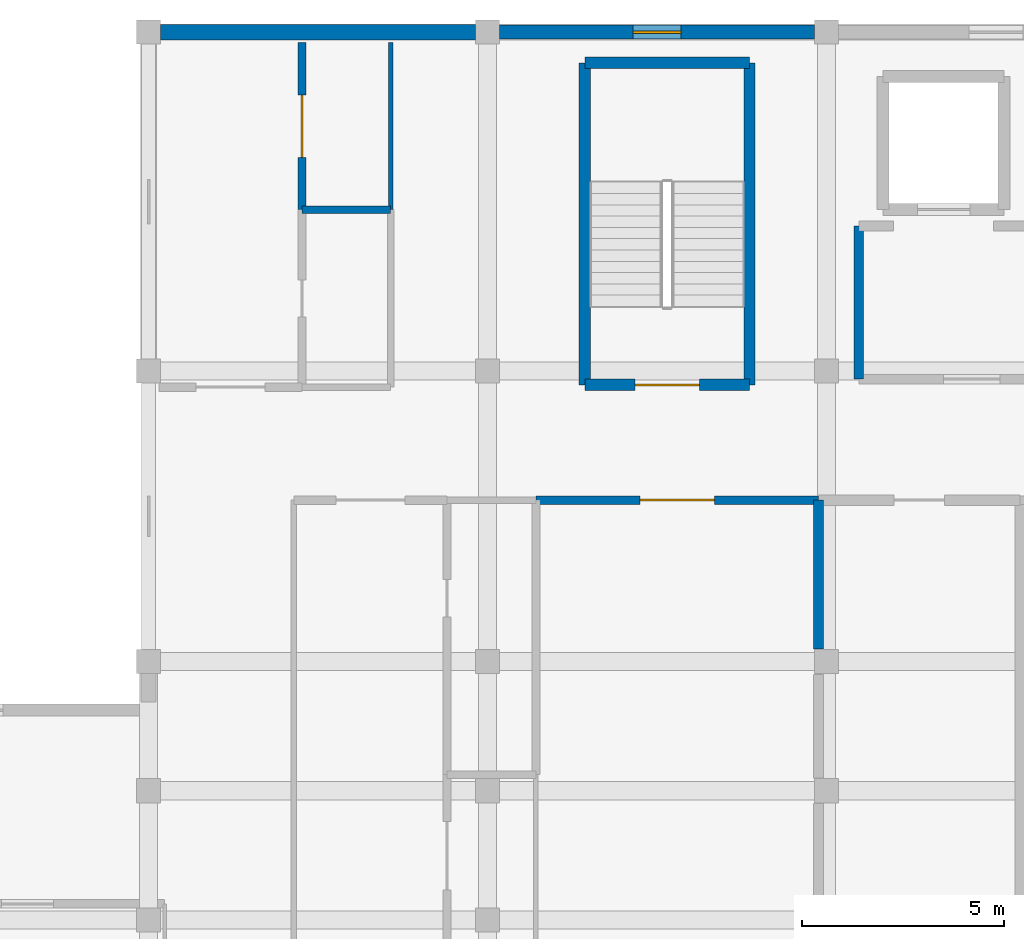
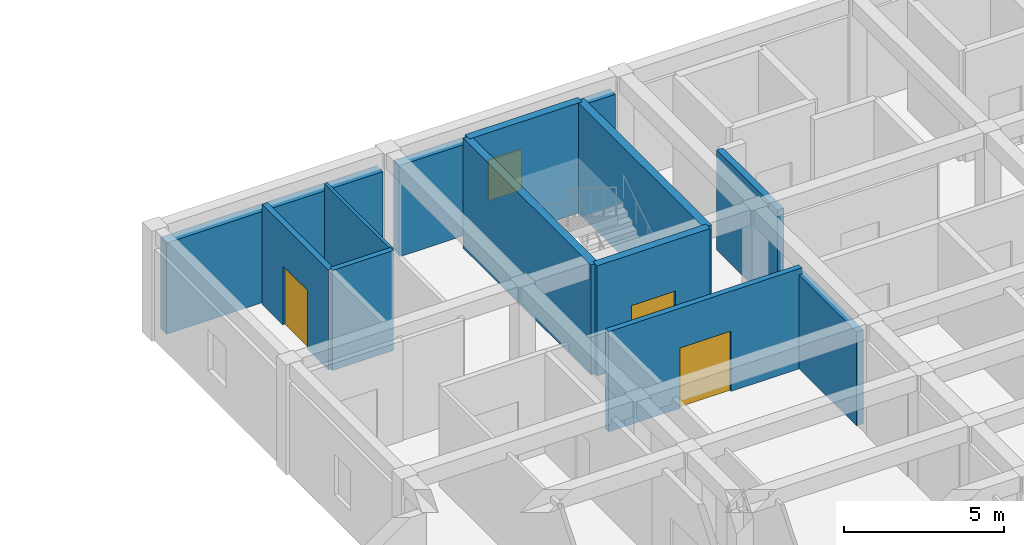
# One storey, part 23 of 42: 12 walls, 3 doors, 1 window, 4 openings.
"""IFC4 building model written with IfcOpenShell, lengths in metres."""

from ifc_helpers import new_model, si_unit, direction, frame, frame_2d, origin, place, context, subcontext, project, spatial, rectangle, extrude, material, layer, layer_set, type_object, element, fill, save


model = new_model("IFC4")

# Units and contexts
model_context = context("Model", 3, precision=1e-05, world=origin(), true_north=direction((0.0, 1.0)))
body_context = subcontext(model_context, "Body", "Model", "MODEL_VIEW")
ifc_project = project(units=[si_unit("LENGTHUNIT", "METRE"), si_unit("AREAUNIT", "SQUARE_METRE"), si_unit("VOLUMEUNIT", "CUBIC_METRE"), si_unit("PLANEANGLEUNIT", "RADIAN"), si_unit("MASSUNIT", "GRAM", prefix="KILO")], contexts=[model_context])

# Site, building, storey
site_placement = place(None, origin())
site = spatial("IfcSite", under=ifc_project, at=site_placement, CompositionType="ELEMENT")
building_placement = place(site_placement, origin())
building = spatial("IfcBuilding", under=site, at=building_placement, Name="Varncliffe General Hospital", CompositionType="ELEMENT")
storey_placement = place(building_placement, frame((0.0, 0.0, 20.39990234375)))
storey = spatial("IfcBuildingStorey", under=building, at=storey_placement, Name="L04", CompositionType="ELEMENT", Elevation=20.39990234375)

# Wall
ifc_material_1 = material(Name="Precast concrete C40/50 with insulated cream lime-cement stucco", Category="concrete")
ifc_layer_1 = layer(ifc_material_1, 0.3798828125)
ifc_layer_set_1 = layer_set([ifc_layer_1], Name="Precast concrete C40/50 with insulated cream lime-cement stucco")
wall_type_1 = type_object("IfcWallType", Name="Exterior Insulated Stucco Wall EW26 (380mm)", PredefinedType="SOLIDWALL", material=ifc_layer_set_1)
wall_1_placement = place(storey_placement, frame((109.498046875, 124.800048828125, 0.0), z_axis=(0.0, 0.0, 1.0), x_axis=(1.0, 0.0, 0.0)))
element("IfcWall", 1, at=wall_1_placement, inside=storey, type_object=wall_type_1, Name="L04 Exterior Stucco Wall EW26-366", PredefinedType="SOLIDWALL", context=body_context, shape_type="SweptSolid", body=[
    extrude(rectangle(XDim=7.803955078125, YDim=0.3798828125, at=frame_2d((3.90185546875, 0.0))), origin(), (0.0, 0.0, 1.0), 3.47998046875),
])

# Wall, opening, window
ifc_layer_2 = layer(ifc_material_1, 0.35009765625)
ifc_layer_set_2 = layer_set([ifc_layer_2], Name="Precast concrete C40/50 with insulated cream lime-cement stucco")
wall_type_2 = type_object("IfcWallType", Name="Exterior Insulated Stucco Wall EW37 (350mm)", PredefinedType="SOLIDWALL", material=ifc_layer_set_2)
wall_2_placement = place(storey_placement, frame((117.89794921875, 124.800048828125, 0.0), z_axis=(0.0, 0.0, 1.0), x_axis=(1.0, 0.0, 0.0)))
wall_2 = element("IfcWall", 2, at=wall_2_placement, inside=storey, type_object=wall_type_2, Name="L04 Exterior Stucco Wall EW37-367", PredefinedType="SOLIDWALL", context=body_context, shape_type="SweptSolid", body=[
    extrude(rectangle(XDim=7.803955078125, YDim=0.35009765625, at=frame_2d((3.90185546875, 0.0))), origin(), (0.0, 0.0, 1.0), 3.47998046875),
])
opening_1_placement = place(wall_2_placement, frame((3.302001953125, 0.0, 0.89990234375)))
opening_1 = element("IfcOpeningElement", 3, at=opening_1_placement, cuts=wall_2, Name="Opening WN33", PredefinedType="OPENING", context=body_context, shape_type="SweptSolid", body=[
    extrude(rectangle(XDim=1.199951171875, YDim=1.550048828125, at=frame_2d((0.60009765625, 0.77490234375))), frame((0.0, 0.18505859375, 0.0), z_axis=(0.0, -1.0, 0.0), x_axis=(1.0, 0.0, 0.0)), (0.0, 0.0, 1.0), 0.3701171875),
])
ifc_material_2 = material(Name="Triple low-E argon insulated vision glazing", Category="glass")
window_type = type_object("IfcWindowType", Name="Triple-Glazed Hospital Window WN33 (1200x1550)", PartitioningType="SINGLE_PANEL", PredefinedType="WINDOW", material=ifc_material_2)
window_placement = place(opening_1_placement, origin())
window = element("IfcWindow", 4, at=window_placement, inside=storey, type_object=window_type, Name="L04 Hospital Window WN33-274", OverallHeight=1.550048828125, OverallWidth=1.199951171875, PartitioningType="SINGLE_PANEL", PredefinedType="WINDOW", context=body_context, shape_type="SweptSolid", body=[
    extrude(rectangle(XDim=1.199951171875, YDim=1.550048828125, at=frame_2d((0.60009765625, 0.77490234375))), frame((0.0, 0.030029296875, 0.0), z_axis=(0.0, -1.0, 0.0), x_axis=(1.0, 0.0, 0.0)), (0.0, 0.0, 1.0), 0.06005859375),
])
fill(opening_1, window)

# Walls
ifc_material_3 = material(Name="Acoustic clinical gypsum stud partition assembly", Category="gypsum")
ifc_layer_3 = layer(ifc_material_3, 0.110107421875)
ifc_layer_set_3 = layer_set([ifc_layer_3], Name="Acoustic clinical gypsum stud partition assembly")
wall_type_3 = type_object("IfcWallType", Name="Interior Partitioning IW65 (110mm)", PredefinedType="PARTITIONING", material=ifc_layer_set_3)
wall_3_placement = place(storey_placement, frame((115.199951171875, 120.39990234375, 0.0), z_axis=(0.0, 0.0, 1.0), x_axis=(0.0, 1.0, 0.0)))
element("IfcWall", 5, at=wall_3_placement, inside=storey, type_object=wall_type_3, Name="L04 Interior Partition Wall IW65-1922", PredefinedType="PARTITIONING", context=body_context, shape_type="SweptSolid", body=[
    extrude(rectangle(XDim=4.14013671875, YDim=0.110107421875, at=frame_2d((2.070068359375, 0.0))), origin(), (0.0, 0.0, 1.0), 3.820068359375),
])
ifc_material_4 = material(Name="Fire-rated gypsum and mineral-wool partition assembly", Category="gypsum")
ifc_layer_4 = layer(ifc_material_4, 0.25)
ifc_layer_set_4 = layer_set([ifc_layer_4], Name="Fire-rated gypsum and mineral-wool partition assembly")
wall_type_4 = type_object("IfcWallType", Name="Interior Partitioning PW38 (250mm)", PredefinedType="PARTITIONING", material=ifc_layer_set_4)
wall_4_placement = place(storey_placement, frame((125.800048828125, 109.514892578125, 0.0), z_axis=(0.0, 0.0, 1.0), x_axis=(0.0, 1.0, 0.0)))
element("IfcWall", 6, at=wall_4_placement, inside=storey, type_object=wall_type_4, Name="L04 Interior Partition Wall PW38-1933", PredefinedType="PARTITIONING", context=body_context, shape_type="SweptSolid", body=[
    extrude(rectangle(XDim=3.68505859375, YDim=0.25, at=frame_2d((1.842529296875, 0.0))), origin(), (0.0, 0.0, 1.0), 3.585205078125),
])
ifc_layer_5 = layer(ifc_material_4, 0.22998046875)
ifc_layer_set_5 = layer_set([ifc_layer_5], Name="Fire-rated gypsum and mineral-wool partition assembly")
wall_type_5 = type_object("IfcWallType", Name="Interior Partitioning PW48 (230mm)", PredefinedType="PARTITIONING", material=ifc_layer_set_5)
wall_5_placement = place(storey_placement, frame((126.800048828125, 116.199951171875, 0.0), z_axis=(0.0, 0.0, 1.0), x_axis=(0.0, 1.0, 0.0)))
element("IfcWall", 7, at=wall_5_placement, inside=storey, type_object=wall_type_5, Name="L04 Interior Partition Wall PW48-1938", PredefinedType="PARTITIONING", context=body_context, shape_type="SweptSolid", body=[
    extrude(rectangle(XDim=3.800048828125, YDim=0.22998046875, at=frame_2d((1.89990234375, 0.0))), origin(), (0.0, 0.0, 1.0), 3.820068359375),
])

# Wall, opening, door
ifc_layer_6 = layer(ifc_material_4, 0.199951171875)
ifc_layer_set_6 = layer_set([ifc_layer_6], Name="Fire-rated gypsum and mineral-wool partition assembly")
wall_type_6 = type_object("IfcWallType", Name="Interior Partitioning PW63 (200mm)", PredefinedType="PARTITIONING", material=ifc_layer_set_6)
wall_6_placement = place(storey_placement, frame((118.800048828125, 113.199951171875, 0.0), z_axis=(0.0, 0.0, 1.0), x_axis=(1.0, 0.0, 0.0)))
wall_6 = element("IfcWall", 8, at=wall_6_placement, inside=storey, type_object=wall_type_6, Name="L04 Interior Partition Wall PW63-1800", PredefinedType="PARTITIONING", context=body_context, shape_type="SweptSolid", body=[
    extrude(rectangle(XDim=7.0, YDim=0.199951171875, at=frame_2d((3.5, 0.0))), origin(), (0.0, 0.0, 1.0), 3.820068359375),
])
opening_2_placement = place(wall_6_placement, frame((2.574951171875, 0.0, 0.0)))
opening_2 = element("IfcOpeningElement", 9, at=opening_2_placement, cuts=wall_6, Name="Opening DC38", PredefinedType="OPENING", context=body_context, shape_type="SweptSolid", body=[
    extrude(rectangle(XDim=1.85009765625, YDim=2.300048828125, at=frame_2d((0.925048828125, 1.14990234375))), frame((0.0, 0.10986328125, 0.0), z_axis=(0.0, -1.0, 0.0), x_axis=(1.0, 0.0, 0.0)), (0.0, 0.0, 1.0), 0.219970703125),
])
ifc_material_5 = material(Name="Fire-rated hospital steel-frame vision-panel door", Category="steel")
door_type_1 = type_object("IfcDoorType", Name="Interior Hospital Door DC38 (1850x2300)", OperationType="NOTDEFINED", PredefinedType="DOOR", material=ifc_material_5)
door_1_placement = place(opening_2_placement, frame((1.85009765625, 0.0, 0.0), z_axis=(0.0, 0.0, 1.0), x_axis=(-1.0, 0.0, 0.0)))
door_1 = element("IfcDoor", 10, at=door_1_placement, inside=storey, type_object=door_type_1, Name="L04 Telemetry Central Monitoring Station 98 Door", OperationType="SINGLE_SWING_RIGHT", OverallHeight=2.300048828125, OverallWidth=1.85009765625, PredefinedType="DOOR", context=body_context, shape_type="SweptSolid", body=[
    extrude(rectangle(XDim=1.85009765625, YDim=2.300048828125, at=frame_2d((0.925048828125, 1.14990234375))), frame((0.0, 0.02490234375, 0.0), z_axis=(0.0, -1.0, 0.0), x_axis=(1.0, 0.0, 0.0)), (0.0, 0.0, 1.0), 0.050048828125),
])
fill(opening_2, door_1)

wall_7_placement = place(storey_placement, frame((113.0, 120.39990234375, 0.0), z_axis=(0.0, 0.0, 1.0), x_axis=(0.0, 1.0, 0.0)))
wall_7 = element("IfcWall", 11, at=wall_7_placement, inside=storey, type_object=wall_type_6, Name="L04 Interior Partition Wall PW63-1920", PredefinedType="PARTITIONING", context=body_context, shape_type="SweptSolid", body=[
    extrude(rectangle(XDim=4.14013671875, YDim=0.199951171875, at=frame_2d((2.070068359375, 0.0))), origin(), (0.0, 0.0, 1.0), 3.820068359375),
])
opening_3_placement = place(wall_7_placement, frame((1.294921875, 0.0, 0.0)))
opening_3 = element("IfcOpeningElement", 12, at=opening_3_placement, cuts=wall_7, Name="Opening DC67", PredefinedType="OPENING", context=body_context, shape_type="SweptSolid", body=[
    extrude(rectangle(XDim=1.550048828125, YDim=2.25, at=frame_2d((0.77490234375, 1.125))), frame((0.0, 0.10986328125, 0.0), z_axis=(0.0, -1.0, 0.0), x_axis=(1.0, 0.0, 0.0)), (0.0, 0.0, 1.0), 0.219970703125),
])
door_type_2 = type_object("IfcDoorType", Name="Interior Hospital Door DC67 (1550x2250)", OperationType="NOTDEFINED", PredefinedType="DOOR", material=ifc_material_5)
door_2_placement = place(opening_3_placement, frame((1.550048828125, 0.0, 0.0), z_axis=(0.0, 0.0, 1.0), x_axis=(-1.0, 0.0, 0.0)))
door_2 = element("IfcDoor", 13, at=door_2_placement, inside=storey, type_object=door_type_2, Name="L04 Patient Medication and Hygiene Bay 117 Door", OperationType="SINGLE_SWING_LEFT", OverallHeight=2.25, OverallWidth=1.550048828125, PredefinedType="DOOR", context=body_context, shape_type="SweptSolid", body=[
    extrude(rectangle(XDim=1.550048828125, YDim=2.25, at=frame_2d((0.77490234375, 1.125))), frame((0.0, 0.02490234375, 0.0), z_axis=(0.0, -1.0, 0.0), x_axis=(1.0, 0.0, 0.0)), (0.0, 0.0, 1.0), 0.050048828125),
])
fill(opening_3, door_2)

# Walls
ifc_material_6 = material(Name="Moisture-resistant plumbing chase wall assembly", Category="gypsum")
ifc_layer_7 = layer(ifc_material_6, 0.18994140625)
ifc_layer_set_7 = layer_set([ifc_layer_7], Name="Moisture-resistant plumbing chase wall assembly")
wall_type_7 = type_object("IfcWallType", Name="Interior Plumbingwall MW17 (190mm)", PredefinedType="PLUMBINGWALL", material=ifc_layer_set_7)
wall_8_placement = place(storey_placement, frame((113.0, 120.39990234375, 0.0), z_axis=(0.0, 0.0, 1.0), x_axis=(1.0, 0.0, 0.0)))
element("IfcWall", 14, at=wall_8_placement, inside=storey, type_object=wall_type_7, Name="L04 Interior Plumbing Wall MW17-1838", PredefinedType="PLUMBINGWALL", context=body_context, shape_type="SweptSolid", body=[
    extrude(rectangle(XDim=2.199951171875, YDim=0.18994140625, at=frame_2d((1.10009765625, 0.0))), origin(), (0.0, 0.0, 1.0), 3.820068359375),
])
ifc_material_7 = material(Name="Concrete C40/50 (CSA A23.1 40 MPa)", Category="concrete")
ifc_layer_8 = layer(ifc_material_7, 0.280029296875)
ifc_layer_set_8 = layer_set([ifc_layer_8], Name="Concrete C40/50 (CSA A23.1 40 MPa)")
wall_type_8 = type_object("IfcWallType", Name="Reinforced Concrete Core Shear Wall CW13 (280mm)", PredefinedType="SHEAR", material=ifc_layer_set_8)
wall_9_placement = place(storey_placement, frame((124.090087890625, 116.06005859375, 0.0), z_axis=(0.0, 0.0, 1.0), x_axis=(0.0, 1.0, 0.0)))
element("IfcWall", 15, at=wall_9_placement, inside=storey, type_object=wall_type_8, Name="L04 ST03 Core Shear Wall L", PredefinedType="SHEAR", context=body_context, shape_type="SweptSolid", body=[
    extrude(rectangle(XDim=7.97998046875, YDim=0.280029296875, at=frame_2d((3.989990234375, 0.0))), origin(), (0.0, 0.0, 1.0), 4.2001953125),
])
wall_10_placement = place(storey_placement, frame((124.090087890625, 124.0400390625, 0.0), z_axis=(0.0, 0.0, 1.0), x_axis=(-1.0, 0.0, 0.0)))
element("IfcWall", 16, at=wall_10_placement, inside=storey, type_object=wall_type_8, Name="L04 ST03 Core Shear Wall F", PredefinedType="SHEAR", context=body_context, shape_type="SweptSolid", body=[
    extrude(rectangle(XDim=4.080078125, YDim=0.280029296875, at=frame_2d((2.0400390625, 0.0))), origin(), (0.0, 0.0, 1.0), 4.2001953125),
])
wall_11_placement = place(storey_placement, frame((120.010009765625, 124.0400390625, 0.0), z_axis=(0.0, 0.0, 1.0), x_axis=(0.0, -1.0, 0.0)))
element("IfcWall", 17, at=wall_11_placement, inside=storey, type_object=wall_type_8, Name="L04 ST03 Core Shear Wall R", PredefinedType="SHEAR", context=body_context, shape_type="SweptSolid", body=[
    extrude(rectangle(XDim=7.97998046875, YDim=0.280029296875, at=frame_2d((3.989990234375, 0.0))), origin(), (0.0, 0.0, 1.0), 4.2001953125),
])

# Wall, opening, door
wall_12_placement = place(storey_placement, frame((120.010009765625, 116.06005859375, 0.0), z_axis=(0.0, 0.0, 1.0), x_axis=(1.0, 0.0, 0.0)))
wall_12 = element("IfcWall", 18, at=wall_12_placement, inside=storey, type_object=wall_type_8, Name="L04 ST03 Core Shear Wall N", PredefinedType="SHEAR", context=body_context, shape_type="SweptSolid", body=[
    extrude(rectangle(XDim=4.080078125, YDim=0.280029296875, at=frame_2d((2.0400390625, 0.0))), origin(), (0.0, 0.0, 1.0), 4.2001953125),
])
opening_4_placement = place(wall_12_placement, frame((1.239990234375, 0.0, 0.0)))
opening_4 = element("IfcOpeningElement", 19, at=opening_4_placement, cuts=wall_12, Name="Opening DF27", PredefinedType="OPENING", context=body_context, shape_type="SweptSolid", body=[
    extrude(rectangle(XDim=1.60009765625, YDim=2.25, at=frame_2d((0.800048828125, 1.125))), frame((0.0, 0.14990234375, 0.0), z_axis=(0.0, -1.0, 0.0), x_axis=(1.0, 0.0, 0.0)), (0.0, 0.0, 1.0), 0.300048828125),
])
door_type_3 = type_object("IfcDoorType", Name="Interior Hospital Door DF27 (1600x2250)", OperationType="NOTDEFINED", PredefinedType="DOOR", material=ifc_material_5)
door_3_placement = place(opening_4_placement, frame((1.60009765625, 0.0, 0.0), z_axis=(0.0, 0.0, 1.0), x_axis=(-1.0, 0.0, 0.0)))
door_3 = element("IfcDoor", 20, at=door_3_placement, inside=storey, type_object=door_type_3, Name="L04 ST03 Protected Exit Stair Door", OperationType="SINGLE_SWING_RIGHT", OverallHeight=2.25, OverallWidth=1.60009765625, PredefinedType="DOOR", context=body_context, shape_type="SweptSolid", body=[
    extrude(rectangle(XDim=1.60009765625, YDim=2.25, at=frame_2d((0.800048828125, 1.125))), frame((0.0, 0.02490234375, 0.0), z_axis=(0.0, -1.0, 0.0), x_axis=(1.0, 0.0, 0.0)), (0.0, 0.0, 1.0), 0.050048828125),
])
fill(opening_4, door_3)

save(model, "model.ifc")
